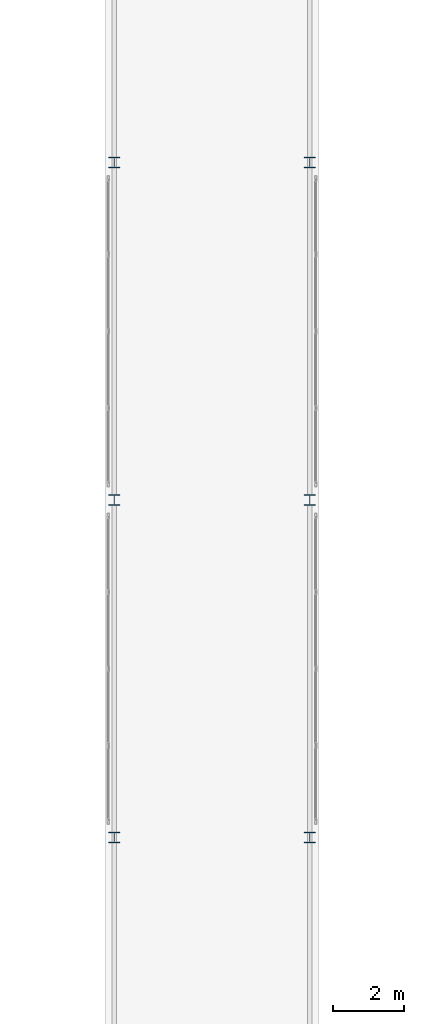
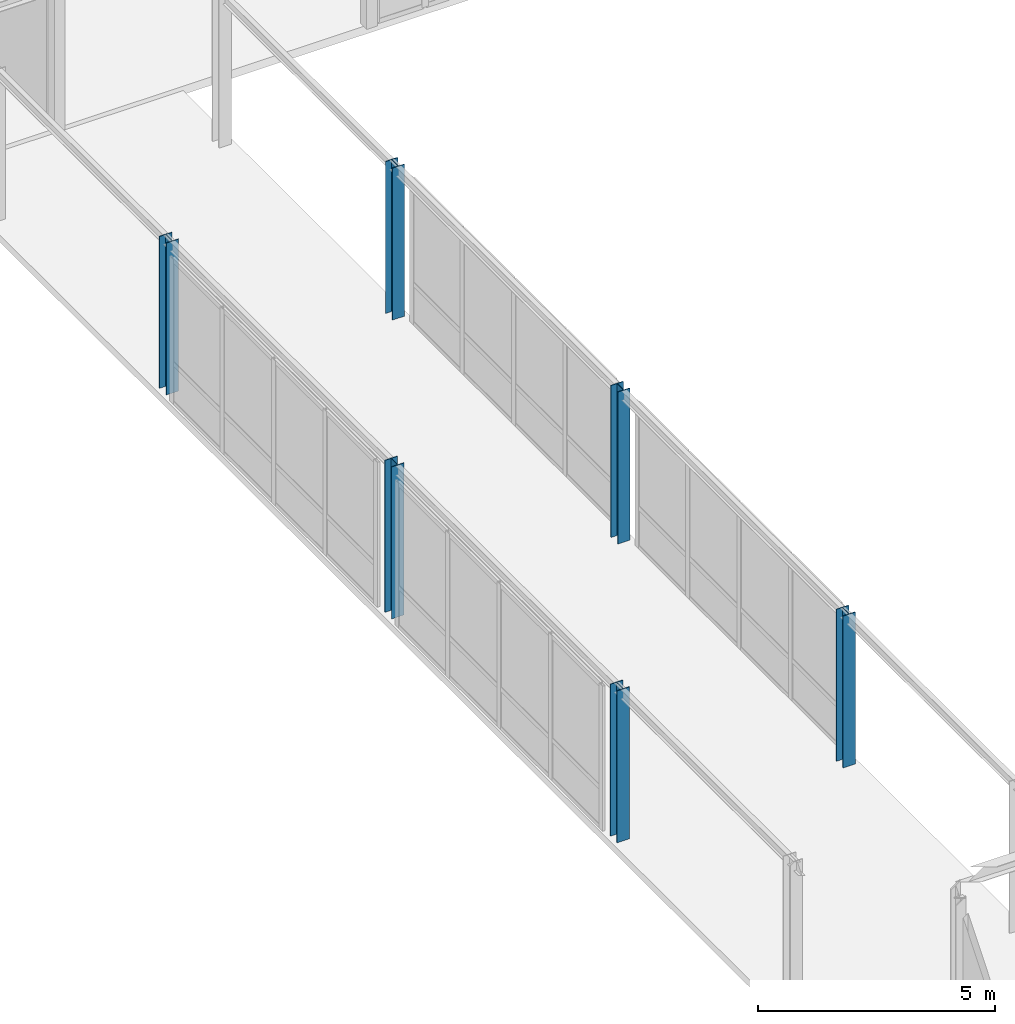
# One storey, part 4 of 189: 6 columns.
"""IFC4 building model written with IfcOpenShell, lengths in metres."""

from ifc_helpers import new_model, si_unit, direction, frame, origin, origin_2d, place, context, subcontext, project, spatial, i_section, extrude, material, material_profile, profile_set, type_object, element, save


model = new_model("IFC4")

# Units and contexts
model_context = context("Model", 3, precision=1e-05, world=origin(), true_north=direction((0.0, 1.0)))
body_context = subcontext(model_context, "Body", "Model", "MODEL_VIEW")
ifc_project = project(units=[si_unit("LENGTHUNIT", "METRE"), si_unit("AREAUNIT", "SQUARE_METRE"), si_unit("VOLUMEUNIT", "CUBIC_METRE"), si_unit("PLANEANGLEUNIT", "RADIAN"), si_unit("MASSUNIT", "GRAM", prefix="KILO")], contexts=[model_context])

# Site, building, storey
site_placement = place(None, origin())
site = spatial("IfcSite", under=ifc_project, at=site_placement, CompositionType="ELEMENT")
building_placement = place(site_placement, origin())
building = spatial("IfcBuilding", under=site, at=building_placement, Name="Montecoro Central Library", CompositionType="ELEMENT")
storey_placement = place(building_placement, frame((0.0, 0.0, 9.179931640625)))
storey = spatial("IfcBuildingStorey", under=building, at=storey_placement, Name="L02", CompositionType="ELEMENT", Elevation=9.179931640625)

# Columns
ifc_material = material(Name="Steel S355", Category="steel")
ifc_material_profile = material_profile(ifc_material, i_section(OverallWidth=0.300048828125, OverallDepth=0.300048828125, WebThickness=0.010986328125, FlangeThickness=0.01904296875, at=origin_2d()), Name="HEB 300")
ifc_profile_set = profile_set([ifc_material_profile], Name="Steel S355")
column_type = type_object("IfcColumnType", Name="COL-HEB300", PredefinedType="COLUMN", material=ifc_profile_set)
for number, where, z_axis, x_axis, name in (
    (1, (25.050048828125, 44.89990234375, 0.0), (0.0, 0.0, 1.0), (1.0, 0.0, 0.0), "BR-W-L02-COL-250-449"),
    (2, (30.550048828125, 44.89990234375, 0.0), (0.0, 0.0, 1.0), (1.0, 0.0, 0.0), "BR-W-L02-COL-305-449"),
    (3, (25.050048828125, 54.39990234375, 0.0), (0.0, 0.0, 1.0), (1.0, 0.0, 0.0), "BR-W-L02-COL-250-544"),
    (4, (30.550048828125, 54.39990234375, 0.0), (0.0, 0.0, 1.0), (1.0, 0.0, 0.0), "BR-W-L02-COL-305-544"),
    (5, (25.050048828125, 63.89990234375, 0.0), (0.0, 0.0, 1.0), (1.0, 0.0, 0.0), "BR-W-L02-COL-250-639"),
    (6, (30.550048828125, 63.89990234375, 0.0), (0.0, 0.0, 1.0), (1.0, 0.0, 0.0), "BR-W-L02-COL-305-639"),
):
    element("IfcColumn", number, at=place(storey_placement, frame(where, z_axis=z_axis, x_axis=x_axis)), inside=storey, type_object=column_type, Name=name, PredefinedType="COLUMN", context=body_context, shape_type="SweptSolid", body=[
        extrude(i_section(OverallWidth=0.300048828125, OverallDepth=0.300048828125, WebThickness=0.010986328125, FlangeThickness=0.01904296875, at=origin_2d()), origin(), (0.0, 0.0, 1.0), 3.907958984375),
    ])

save(model, "model.ifc")
